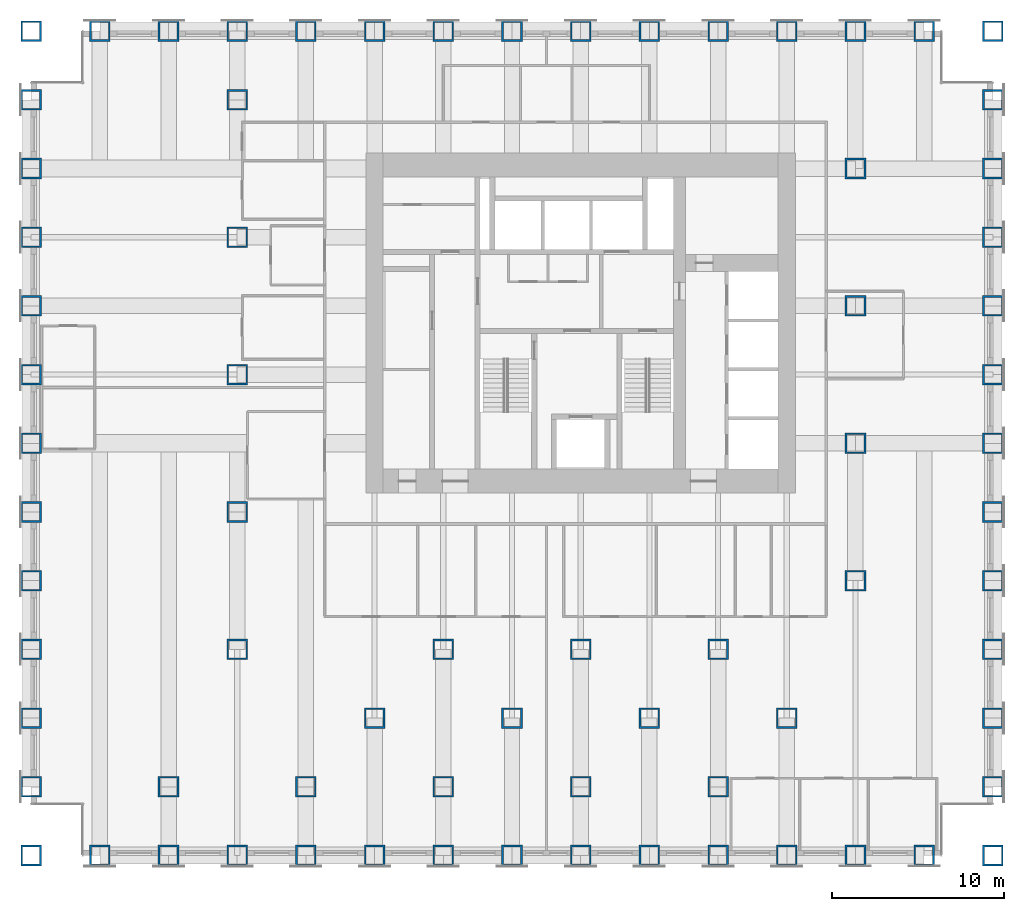
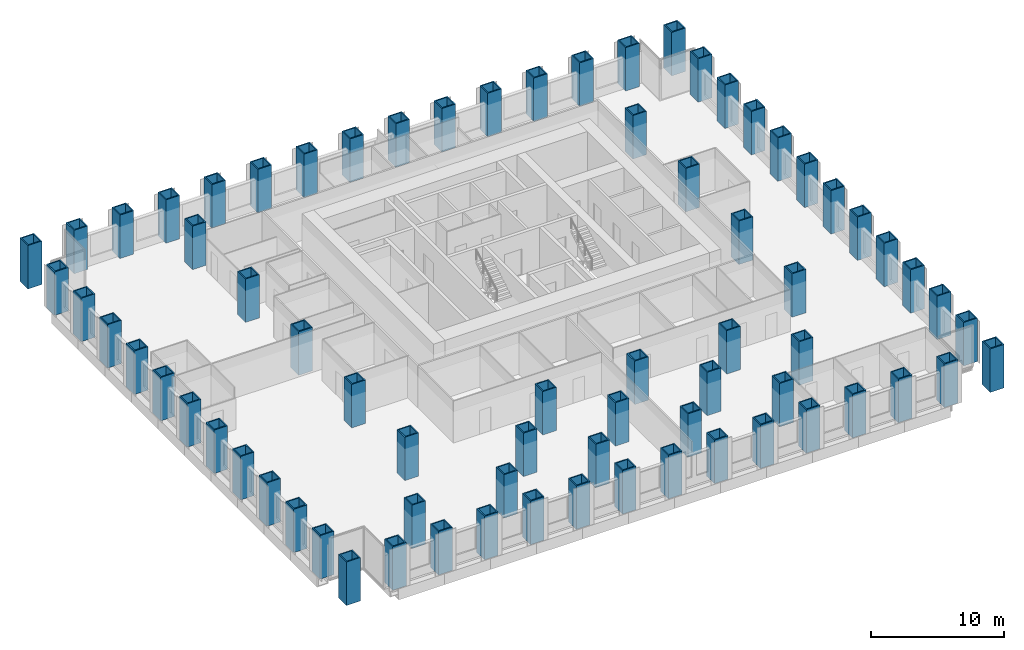
# One storey, part 1 of 15: 73 columns.
"""IFC4 building model written with IfcOpenShell, lengths in metres."""

from ifc_helpers import new_model, si_unit, direction, frame, origin, origin_2d, place, context, subcontext, project, spatial, hollow_rectangle, extrude, material, material_profile, profile_set, type_object, element, save


model = new_model("IFC4")

# Units and contexts
model_context = context("Model", 3, precision=1e-05, world=origin(), true_north=direction((0.0, 1.0)))
body_context = subcontext(model_context, "Body", "Model", "MODEL_VIEW")
ifc_project = project(units=[si_unit("LENGTHUNIT", "METRE"), si_unit("AREAUNIT", "SQUARE_METRE"), si_unit("VOLUMEUNIT", "CUBIC_METRE"), si_unit("PLANEANGLEUNIT", "RADIAN"), si_unit("MASSUNIT", "GRAM", prefix="KILO")], contexts=[model_context])

# Site, building, storey
site_placement = place(None, origin())
site = spatial("IfcSite", under=ifc_project, at=site_placement, CompositionType="ELEMENT")
building_placement = place(site_placement, origin())
building = spatial("IfcBuilding", under=site, at=building_placement, Name="Rimbunsela Tower", CompositionType="ELEMENT")
storey_placement = place(building_placement, frame((0.0, 0.0, 27.0)))
storey = spatial("IfcBuildingStorey", under=building, at=storey_placement, Name="L06", CompositionType="ELEMENT", Elevation=27.0)

# Columns
ifc_material = material(Name="Steel BJ 55 (fy 410 MPa)", Category="steel")
ifc_material_profile = material_profile(ifc_material, hollow_rectangle(XDim=1.199951171875, YDim=1.199951171875, WallThickness=0.10009765625, at=origin_2d()), Name="BOX 1200x1200x100")
ifc_profile_set = profile_set([ifc_material_profile], Name="Steel BJ 55 (fy 410 MPa)")
column_type = type_object("IfcColumnType", Name="Column BOX 1200x1200x100", PredefinedType="COLUMN", material=ifc_profile_set)
for number, where, z_axis, x_axis, name in (
    (1, (-2.0, -4.0, 0.0), (0.0, 0.0, 1.0), (1.0, 0.0, 0.0), "Column C7 2/A L06"),
    (2, (-2.0, 0.0, 0.0), (0.0, 0.0, 1.0), (1.0, 0.0, 0.0), "Column C7 2/B L06"),
    (3, (-2.0, 4.0, 0.0), (0.0, 0.0, 1.0), (1.0, 0.0, 0.0), "Column C7 2/C L06"),
    (4, (-2.0, 8.0, 0.0), (0.0, 0.0, 1.0), (1.0, 0.0, 0.0), "Column C7 2/D L06"),
    (5, (-2.0, 12.0, 0.0), (0.0, 0.0, 1.0), (1.0, 0.0, 0.0), "Column C7 2/E L06"),
    (6, (-2.0, 16.0, 0.0), (0.0, 0.0, 1.0), (1.0, 0.0, 0.0), "Column C7 2/F L06"),
    (7, (-2.0, 20.0, 0.0), (0.0, 0.0, 1.0), (1.0, 0.0, 0.0), "Column C7 2/G L06"),
    (8, (-2.0, 24.0, 0.0), (0.0, 0.0, 1.0), (1.0, 0.0, 0.0), "Column C7 2/H L06"),
    (9, (-2.0, 28.0, 0.0), (0.0, 0.0, 1.0), (1.0, 0.0, 0.0), "Column C7 2/J L06"),
    (10, (-2.0, 32.0, 0.0), (0.0, 0.0, 1.0), (1.0, 0.0, 0.0), "Column C7 2/K L06"),
    (11, (-2.0, 36.0, 0.0), (0.0, 0.0, 1.0), (1.0, 0.0, 0.0), "Column C7 2/L L06"),
    (12, (-2.0, 40.0, 0.0), (0.0, 0.0, 1.0), (1.0, 0.0, 0.0), "Column C7 2/M L06"),
    (13, (-2.0, 44.0, 0.0), (0.0, 0.0, 1.0), (1.0, 0.0, 0.0), "Column C7 2/N L06"),
    (14, (2.0, -4.0, 0.0), (0.0, 0.0, 1.0), (1.0, 0.0, 0.0), "Column C7 3/A L06"),
    (15, (2.0, 44.0, 0.0), (0.0, 0.0, 1.0), (1.0, 0.0, 0.0), "Column C7 3/N L06"),
    (16, (6.0, -4.0, 0.0), (0.0, 0.0, 1.0), (1.0, 0.0, 0.0), "Column C7 4/A L06"),
    (17, (6.0, 44.0, 0.0), (0.0, 0.0, 1.0), (1.0, 0.0, 0.0), "Column C7 4/N L06"),
    (18, (10.0, -4.0, 0.0), (0.0, 0.0, 1.0), (1.0, 0.0, 0.0), "Column C7 5/A L06"),
    (19, (10.0, 44.0, 0.0), (0.0, 0.0, 1.0), (1.0, 0.0, 0.0), "Column C7 5/N L06"),
    (20, (14.0, -4.0, 0.0), (0.0, 0.0, 1.0), (1.0, 0.0, 0.0), "Column C7 6/A L06"),
    (21, (14.0, 44.0, 0.0), (0.0, 0.0, 1.0), (1.0, 0.0, 0.0), "Column C7 6/N L06"),
    (22, (18.0, -4.0, 0.0), (0.0, 0.0, 1.0), (1.0, 0.0, 0.0), "Column C7 7/A L06"),
    (23, (18.0, 44.0, 0.0), (0.0, 0.0, 1.0), (1.0, 0.0, 0.0), "Column C7 7/N L06"),
    (24, (22.0, -4.0, 0.0), (0.0, 0.0, 1.0), (1.0, 0.0, 0.0), "Column C7 8/A L06"),
    (25, (22.0, 44.0, 0.0), (0.0, 0.0, 1.0), (1.0, 0.0, 0.0), "Column C7 8/N L06"),
    (26, (26.0, -4.0, 0.0), (0.0, 0.0, 1.0), (1.0, 0.0, 0.0), "Column C7 9/A L06"),
    (27, (26.0, 44.0, 0.0), (0.0, 0.0, 1.0), (1.0, 0.0, 0.0), "Column C7 9/N L06"),
    (28, (30.0, -4.0, 0.0), (0.0, 0.0, 1.0), (1.0, 0.0, 0.0), "Column C7 10/A L06"),
    (29, (30.0, 44.0, 0.0), (0.0, 0.0, 1.0), (1.0, 0.0, 0.0), "Column C7 10/N L06"),
    (30, (34.0, -4.0, 0.0), (0.0, 0.0, 1.0), (1.0, 0.0, 0.0), "Column C7 11/A L06"),
    (31, (34.0, 44.0, 0.0), (0.0, 0.0, 1.0), (1.0, 0.0, 0.0), "Column C7 11/N L06"),
    (32, (38.0, -4.0, 0.0), (0.0, 0.0, 1.0), (1.0, 0.0, 0.0), "Column C7 12/A L06"),
    (33, (38.0, 44.0, 0.0), (0.0, 0.0, 1.0), (1.0, 0.0, 0.0), "Column C7 12/N L06"),
    (34, (42.0, -4.0, 0.0), (0.0, 0.0, 1.0), (1.0, 0.0, 0.0), "Column C7 13/A L06"),
    (35, (42.0, 44.0, 0.0), (0.0, 0.0, 1.0), (1.0, 0.0, 0.0), "Column C7 13/N L06"),
    (36, (46.0, -4.0, 0.0), (0.0, 0.0, 1.0), (1.0, 0.0, 0.0), "Column C7 14/A L06"),
    (37, (46.0, 44.0, 0.0), (0.0, 0.0, 1.0), (1.0, 0.0, 0.0), "Column C7 14/N L06"),
    (38, (50.0, -4.0, 0.0), (0.0, 0.0, 1.0), (1.0, 0.0, 0.0), "Column C7 15/A L06"),
    (39, (50.0, 44.0, 0.0), (0.0, 0.0, 1.0), (1.0, 0.0, 0.0), "Column C7 15/N L06"),
    (40, (54.0, -4.0, 0.0), (0.0, 0.0, 1.0), (1.0, 0.0, 0.0), "Column C7 16/A L06"),
    (41, (54.0, 0.0, 0.0), (0.0, 0.0, 1.0), (1.0, 0.0, 0.0), "Column C7 16/B L06"),
    (42, (54.0, 4.0, 0.0), (0.0, 0.0, 1.0), (1.0, 0.0, 0.0), "Column C7 16/C L06"),
    (43, (54.0, 8.0, 0.0), (0.0, 0.0, 1.0), (1.0, 0.0, 0.0), "Column C7 16/D L06"),
    (44, (54.0, 12.0, 0.0), (0.0, 0.0, 1.0), (1.0, 0.0, 0.0), "Column C7 16/E L06"),
    (45, (54.0, 16.0, 0.0), (0.0, 0.0, 1.0), (1.0, 0.0, 0.0), "Column C7 16/F L06"),
    (46, (54.0, 20.0, 0.0), (0.0, 0.0, 1.0), (1.0, 0.0, 0.0), "Column C7 16/G L06"),
    (47, (54.0, 24.0, 0.0), (0.0, 0.0, 1.0), (1.0, 0.0, 0.0), "Column C7 16/H L06"),
    (48, (54.0, 28.0, 0.0), (0.0, 0.0, 1.0), (1.0, 0.0, 0.0), "Column C7 16/J L06"),
    (49, (54.0, 32.0, 0.0), (0.0, 0.0, 1.0), (1.0, 0.0, 0.0), "Column C7 16/K L06"),
    (50, (54.0, 36.0, 0.0), (0.0, 0.0, 1.0), (1.0, 0.0, 0.0), "Column C7 16/L L06"),
    (51, (54.0, 40.0, 0.0), (0.0, 0.0, 1.0), (1.0, 0.0, 0.0), "Column C7 16/M L06"),
    (52, (54.0, 44.0, 0.0), (0.0, 0.0, 1.0), (1.0, 0.0, 0.0), "Column C7 16/N L06"),
    (53, (6.0, 0.0, 0.0), (0.0, 0.0, 1.0), (1.0, 0.0, 0.0), "Column C7 4/B L06"),
    (54, (10.0, 8.0, 0.0), (0.0, 0.0, 1.0), (1.0, 0.0, 0.0), "Column C7 5/D L06"),
    (55, (10.0, 16.0, 0.0), (0.0, 0.0, 1.0), (1.0, 0.0, 0.0), "Column C7 5/F L06"),
    (56, (10.0, 24.0, 0.0), (0.0, 0.0, 1.0), (1.0, 0.0, 0.0), "Column C7 5/H L06"),
    (57, (10.0, 32.0, 0.0), (0.0, 0.0, 1.0), (1.0, 0.0, 0.0), "Column C7 5/K L06"),
    (58, (10.0, 40.0, 0.0), (0.0, 0.0, 1.0), (1.0, 0.0, 0.0), "Column C7 5/M L06"),
    (59, (14.0, 0.0, 0.0), (0.0, 0.0, 1.0), (1.0, 0.0, 0.0), "Column C7 6/B L06"),
    (60, (18.0, 4.0, 0.0), (0.0, 0.0, 1.0), (1.0, 0.0, 0.0), "Column C7 7/C L06"),
    (61, (22.0, 0.0, 0.0), (0.0, 0.0, 1.0), (1.0, 0.0, 0.0), "Column C7 8/B L06"),
    (62, (22.0, 8.0, 0.0), (0.0, 0.0, 1.0), (1.0, 0.0, 0.0), "Column C7 8/D L06"),
    (63, (26.0, 4.0, 0.0), (0.0, 0.0, 1.0), (1.0, 0.0, 0.0), "Column C7 9/C L06"),
    (64, (30.0, 0.0, 0.0), (0.0, 0.0, 1.0), (1.0, 0.0, 0.0), "Column C7 10/B L06"),
    (65, (30.0, 8.0, 0.0), (0.0, 0.0, 1.0), (1.0, 0.0, 0.0), "Column C7 10/D L06"),
    (66, (34.0, 4.0, 0.0), (0.0, 0.0, 1.0), (1.0, 0.0, 0.0), "Column C7 11/C L06"),
    (67, (38.0, 0.0, 0.0), (0.0, 0.0, 1.0), (1.0, 0.0, 0.0), "Column C7 12/B L06"),
    (68, (38.0, 8.0, 0.0), (0.0, 0.0, 1.0), (1.0, 0.0, 0.0), "Column C7 12/D L06"),
    (69, (42.0, 4.0, 0.0), (0.0, 0.0, 1.0), (1.0, 0.0, 0.0), "Column C7 13/C L06"),
    (70, (46.0, 12.0, 0.0), (0.0, 0.0, 1.0), (1.0, 0.0, 0.0), "Column C7 14/E L06"),
    (71, (46.0, 20.0, 0.0), (0.0, 0.0, 1.0), (1.0, 0.0, 0.0), "Column C7 14/G L06"),
    (72, (46.0, 28.0, 0.0), (0.0, 0.0, 1.0), (1.0, 0.0, 0.0), "Column C7 14/J L06"),
    (73, (46.0, 36.0, 0.0), (0.0, 0.0, 1.0), (1.0, 0.0, 0.0), "Column C7 14/L L06"),
):
    element("IfcColumn", number, at=place(storey_placement, frame(where, z_axis=z_axis, x_axis=x_axis)), inside=storey, type_object=column_type, Name=name, PredefinedType="COLUMN", context=body_context, shape_type="SweptSolid", body=[
        extrude(hollow_rectangle(XDim=1.199951171875, YDim=1.199951171875, WallThickness=0.10009765625, at=origin_2d()), origin(), (0.0, 0.0, 1.0), 4.0),
    ])

save(model, "model.ifc")
